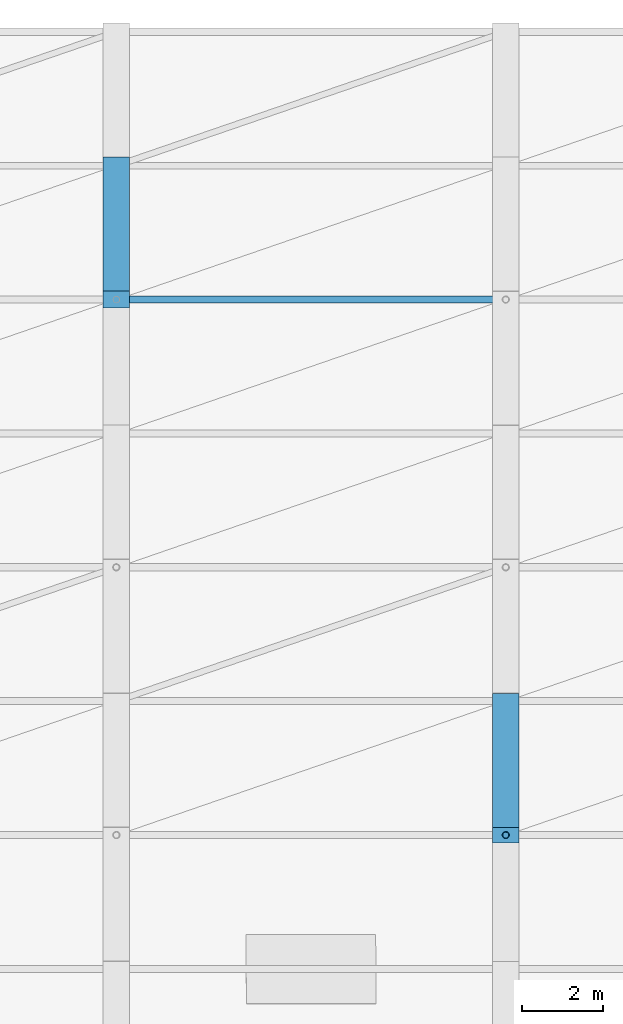
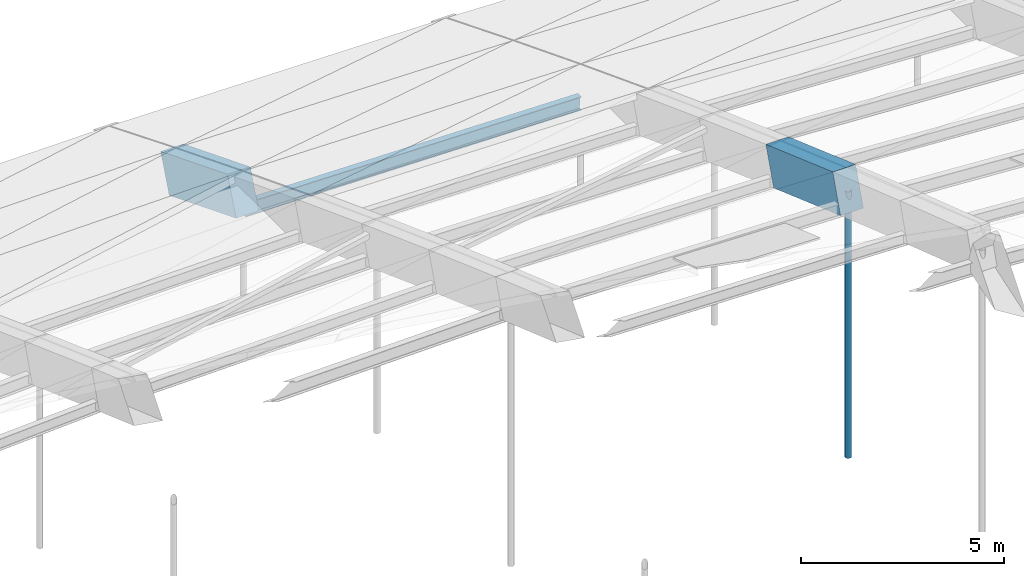
# One storey, part 25 of 43: 2 beams, 2 members.
"""IFC4 building model written with IfcOpenShell, lengths in metres."""

from ifc_helpers import new_model, si_unit, direction, frame, origin, origin_2d, place, context, subcontext, project, spatial, rectangle, hollow_circle, i_section, extrude, material, material_profile, profile_set, type_object, element, save


model = new_model("IFC4")

# Units and contexts
model_context = context("Model", 3, precision=1e-05, world=origin(), true_north=direction((0.0, 1.0)))
body_context = subcontext(model_context, "Body", "Model", "MODEL_VIEW")
ifc_project = project(units=[si_unit("LENGTHUNIT", "METRE"), si_unit("AREAUNIT", "SQUARE_METRE"), si_unit("VOLUMEUNIT", "CUBIC_METRE"), si_unit("PLANEANGLEUNIT", "RADIAN"), si_unit("MASSUNIT", "GRAM", prefix="KILO")], contexts=[model_context])

# Site, building, storey
site_placement = place(None, origin())
site = spatial("IfcSite", under=ifc_project, at=site_placement, CompositionType="ELEMENT")
building_placement = place(site_placement, origin())
building = spatial("IfcBuilding", under=site, at=building_placement, Name="Chalmorin Arch Market", CompositionType="ELEMENT")
storey_placement = place(building_placement, frame((0.0, 0.0, 18.60009765625)))
storey = spatial("IfcBuildingStorey", under=building, at=storey_placement, Name="RF", CompositionType="ELEMENT", Elevation=18.60009765625)

# Member
ifc_material_1 = material(Name="Steel A500 Grade C", Category="steel")
ifc_material_profile_1 = material_profile(ifc_material_1, hollow_circle(Radius=0.084228515625, WallThickness=0.007080078125, at=origin_2d()), Name="CHS168X7")
ifc_profile_set_1 = profile_set([ifc_material_profile_1], Name="Steel A500 Grade C")
member_type_1 = type_object("IfcMemberType", Name="ArchHangerTie-CHS168", PredefinedType="CHORD", material=ifc_profile_set_1)
member_1_placement = place(storey_placement, frame((96.0, 39.0, -2.552978515625), z_axis=(0.0, 0.0, 1.0), x_axis=(1.0, 0.0, 0.0)))
element("IfcMember", 1, at=member_1_placement, inside=storey, type_object=member_type_1, Name="HT-CH168-0167", PredefinedType="CHORD", context=body_context, shape_type="SweptSolid", body=[
    extrude(hollow_circle(Radius=0.084228515625, WallThickness=0.007080078125, at=origin_2d()), origin(), (0.0, 0.0, 1.0), 8.019775390625),
])

# Beams
ifc_material_2 = material(Name="Concrete C50/60", Category="concrete")
ifc_material_profile_2 = material_profile(ifc_material_2, rectangle(XDim=0.64990234375, YDim=1.14990234375, at=origin_2d()), Name="RC650X1150")
ifc_profile_set_2 = profile_set([ifc_material_profile_2], Name="Concrete C50/60")
beam_type = type_object("IfcBeamType", Name="ArchRibChord-650x1150", PredefinedType="BEAM", material=ifc_profile_set_2)
beam_1_placement = place(storey_placement, frame((86.39990234375, 52.199951171875, 0.7470703125), z_axis=(0.0, 0.929629497426, -0.368495586832), x_axis=(-1.0, 0.0, 0.0)))
element("IfcBeam", 2, at=beam_1_placement, inside=storey, type_object=beam_type, Name="AR-01-1675", PredefinedType="BEAM", context=body_context, shape_type="SweptSolid", body=[
    extrude(rectangle(XDim=0.64990234375, YDim=1.14990234375, at=origin_2d()), origin(), (0.0, 0.0, 1.0), 3.5498046875),
])
beam_2_placement = place(storey_placement, frame((96.0, 39.0, 5.466796875), z_axis=(0.0, 0.942611222356, -0.333892323196), x_axis=(-1.0, 0.0, 0.0)))
element("IfcBeam", 3, at=beam_2_placement, inside=storey, type_object=beam_type, Name="AR-01-1690", PredefinedType="BEAM", context=body_context, shape_type="SweptSolid", body=[
    extrude(rectangle(XDim=0.64990234375, YDim=1.14990234375, at=origin_2d()), origin(), (0.0, 0.0, 1.0), 3.5009765625),
])

# Member
ifc_material_3 = material(Name="Steel A992 Grade 50", Category="steel")
ifc_material_profile_3 = material_profile(ifc_material_3, i_section(OverallWidth=0.178955078125, OverallDepth=0.409912109375, WebThickness=0.0087890625, FlangeThickness=0.014404296875, FilletRadius=0.01806640625, at=origin_2d()), Name="W16X45")
ifc_profile_set_3 = profile_set([ifc_material_profile_3], Name="Steel A992 Grade 50")
member_type_2 = type_object("IfcMemberType", Name="RoofSteelPurlin-W16X45", PredefinedType="PURLIN", material=ifc_profile_set_3)
member_2_placement = place(storey_placement, frame((86.419921875, 52.199951171875, 0.26708984375), z_axis=(0.999894814193, 0.0, -0.014503811596), x_axis=(0.0, 1.0, 0.0)))
element("IfcMember", 4, at=member_2_placement, inside=storey, type_object=member_type_2, Name="PR-W16-0274", PredefinedType="PURLIN", context=body_context, shape_type="SweptSolid", body=[
    extrude(i_section(OverallWidth=0.178955078125, OverallDepth=0.409912109375, WebThickness=0.0087890625, FlangeThickness=0.014404296875, FilletRadius=0.01806640625, at=origin_2d()), origin(), (0.0, 0.0, 1.0), 9.56103515625),
])

save(model, "model.ifc")
